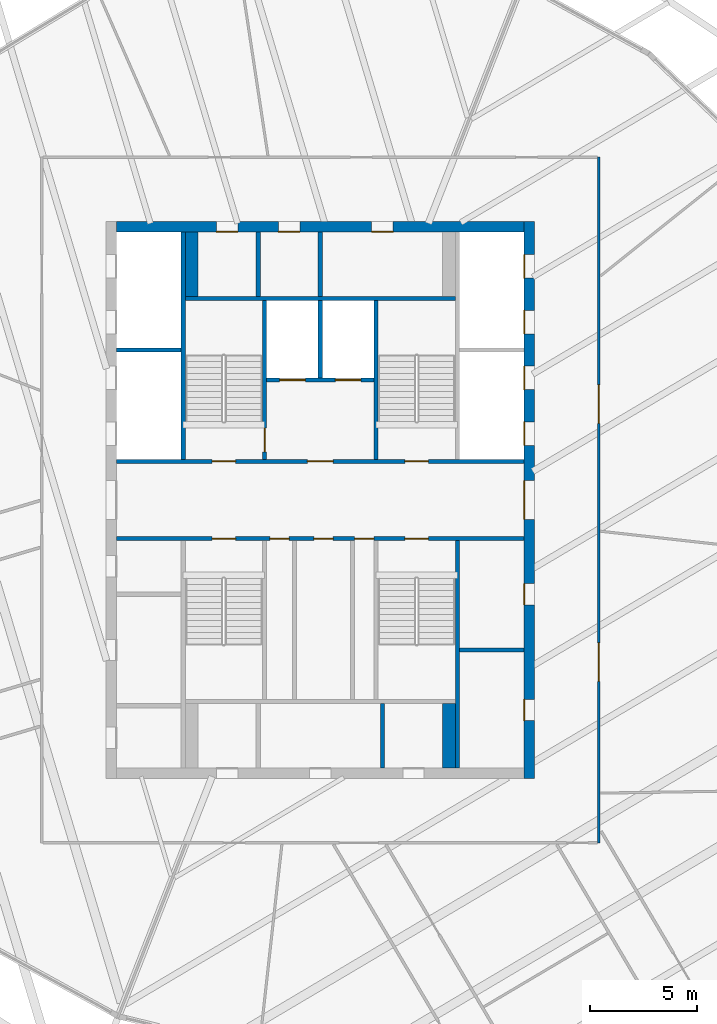
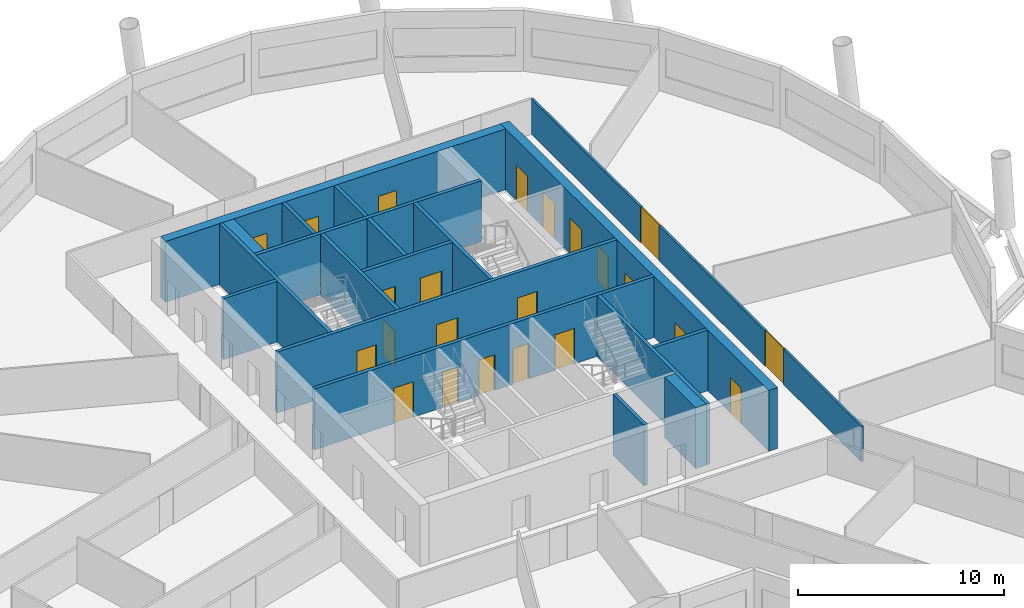
# One storey, part 5 of 11: 23 doors, 19 walls, 23 openings.
"""IFC4 building model written with IfcOpenShell, lengths in metres."""

from ifc_helpers import new_model, si_unit, direction, frame, frame_2d, origin, place, context, subcontext, project, spatial, rectangle, extrude, material, layer, layer_set, type_object, element, fill, save


model = new_model("IFC4")

# Units and contexts
model_context = context("Model", 3, precision=1e-05, world=origin(), true_north=direction((0.0, 1.0)))
body_context = subcontext(model_context, "Body", "Model", "MODEL_VIEW")
ifc_project = project(units=[si_unit("LENGTHUNIT", "METRE"), si_unit("AREAUNIT", "SQUARE_METRE"), si_unit("VOLUMEUNIT", "CUBIC_METRE"), si_unit("PLANEANGLEUNIT", "RADIAN"), si_unit("MASSUNIT", "GRAM", prefix="KILO")], contexts=[model_context])

# Site, building, storey
site_placement = place(None, origin())
site = spatial("IfcSite", under=ifc_project, at=site_placement, CompositionType="ELEMENT")
building_placement = place(site_placement, origin())
building = spatial("IfcBuilding", under=site, at=building_placement, Name="Tarsis Ring Headquarters", CompositionType="ELEMENT")
storey_placement = place(building_placement, frame((0.0, 0.0, 350.89990234375)))
storey = spatial("IfcBuildingStorey", under=building, at=storey_placement, Name="L83", CompositionType="ELEMENT", Elevation=350.89990234375)

# Walls
ifc_material_1 = material(Name="Blockwork", Category="masonry")
ifc_layer_1 = layer(ifc_material_1, 0.199951171875)
ifc_layer_set_1 = layer_set([ifc_layer_1], Name="Core blockwork wall 200")
wall_type_1 = type_object("IfcWallType", Name="Core blockwork wall 200", PredefinedType="PARTITIONING", material=ifc_layer_set_1)
for number, where, z_axis, x_axis, name in (
    (1, (6.5, -7.0, 0.0), (0.0, 0.0, 1.0), (1.0, 0.0, 0.0), "Core partition ED2"),
    (2, (-2.89990234375, 9.5, 0.0), (0.0, 0.0, 1.0), (0.0, 1.0, 0.0), "Core partition ND1"),
    (3, (0.0, 9.5, 0.0), (0.0, 0.0, 1.0), (0.0, 1.0, 0.0), "Core partition ND2"),
    (4, (2.89990234375, -12.5, 0.0), (0.0, 0.0, 1.0), (0.0, 1.0, 0.0), "Core partition SD3"),
):
    element("IfcWall", number, at=place(storey_placement, frame(where, z_axis=z_axis, x_axis=x_axis)), inside=storey, type_object=wall_type_1, Name=name, PredefinedType="PARTITIONING", context=body_context, shape_type="SweptSolid", body=[
        extrude(rectangle(XDim=3.0, YDim=0.199951171875, at=frame_2d((1.5, 0.0))), origin(), (0.0, 0.0, 1.0), 3.60009765625),
    ])

# Wall, openings, doors
ifc_material_2 = material(Name="Concrete C50/60", Category="concrete")
ifc_layer_2 = layer(ifc_material_2, 0.5)
ifc_layer_set_2 = layer_set([ifc_layer_2], Name="Core wall 500 C50/60")
wall_type_2 = type_object("IfcWallType", Name="Core wall 500 C50/60", PredefinedType="SHEAR", material=ifc_layer_set_2)
wall_1_placement = place(storey_placement, frame((9.75, -13.0, 0.0), z_axis=(0.0, 0.0, 1.0), x_axis=(0.0, 1.0, 0.0)))
wall_1 = element("IfcWall", 5, at=wall_1_placement, inside=storey, type_object=wall_type_2, Name="Core wall OE", PredefinedType="SHEAR", context=body_context, shape_type="SweptSolid", body=[
    extrude(rectangle(XDim=26.0, YDim=0.5, at=frame_2d((13.0, 0.0))), origin(), (0.0, 0.0, 1.0), 3.60009765625),
])
opening_1_placement = place(wall_1_placement, frame((2.699951171875, 0.0, 0.0)))
opening_1 = element("IfcOpeningElement", 6, at=opening_1_placement, cuts=wall_1, Name="Opening L83-C09", PredefinedType="OPENING", context=body_context, shape_type="SweptSolid", body=[
    extrude(rectangle(XDim=1.0, YDim=2.10009765625, at=frame_2d((0.5, 1.050048828125))), frame((0.0, 0.260009765625, 0.0), z_axis=(0.0, -1.0, 0.0), x_axis=(1.0, 0.0, 0.0)), (0.0, 0.0, 1.0), 0.52001953125),
])
opening_2_placement = place(wall_1_placement, frame((8.10009765625, 0.0, 0.0)))
opening_2 = element("IfcOpeningElement", 7, at=opening_2_placement, cuts=wall_1, Name="Opening L83-C10", PredefinedType="OPENING", context=body_context, shape_type="SweptSolid", body=[
    extrude(rectangle(XDim=1.0, YDim=2.10009765625, at=frame_2d((0.5, 1.050048828125))), frame((0.0, 0.260009765625, 0.0), z_axis=(0.0, -1.0, 0.0), x_axis=(1.0, 0.0, 0.0)), (0.0, 0.0, 1.0), 0.52001953125),
])
opening_3_placement = place(wall_1_placement, frame((12.10009765625, 0.0, 0.0)))
opening_3 = element("IfcOpeningElement", 8, at=opening_3_placement, cuts=wall_1, Name="Opening L83-C11", PredefinedType="OPENING", context=body_context, shape_type="SweptSolid", body=[
    extrude(rectangle(XDim=1.800048828125, YDim=2.10009765625, at=frame_2d((0.89990234375, 1.050048828125))), frame((0.0, 0.260009765625, 0.0), z_axis=(0.0, -1.0, 0.0), x_axis=(1.0, 0.0, 0.0)), (0.0, 0.0, 1.0), 0.52001953125),
])
opening_4_placement = place(wall_1_placement, frame((15.550048828125, 0.0, 0.0)))
opening_4 = element("IfcOpeningElement", 9, at=opening_4_placement, cuts=wall_1, Name="Opening LD-HR5", PredefinedType="OPENING", context=body_context, shape_type="SweptSolid", body=[
    extrude(rectangle(XDim=1.10009765625, YDim=2.10009765625, at=frame_2d((0.550048828125, 1.050048828125))), frame((0.0, 0.260009765625, 0.0), z_axis=(0.0, -1.0, 0.0), x_axis=(1.0, 0.0, 0.0)), (0.0, 0.0, 1.0), 0.52001953125),
])
opening_5_placement = place(wall_1_placement, frame((18.14990234375, 0.0, 0.0)))
opening_5 = element("IfcOpeningElement", 10, at=opening_5_placement, cuts=wall_1, Name="Opening LD-HR6", PredefinedType="OPENING", context=body_context, shape_type="SweptSolid", body=[
    extrude(rectangle(XDim=1.10009765625, YDim=2.10009765625, at=frame_2d((0.550048828125, 1.050048828125))), frame((0.0, 0.260009765625, 0.0), z_axis=(0.0, -1.0, 0.0), x_axis=(1.0, 0.0, 0.0)), (0.0, 0.0, 1.0), 0.52001953125),
])
opening_6_placement = place(wall_1_placement, frame((20.75, 0.0, 0.0)))
opening_6 = element("IfcOpeningElement", 11, at=opening_6_placement, cuts=wall_1, Name="Opening LD-HR7", PredefinedType="OPENING", context=body_context, shape_type="SweptSolid", body=[
    extrude(rectangle(XDim=1.10009765625, YDim=2.10009765625, at=frame_2d((0.550048828125, 1.050048828125))), frame((0.0, 0.260009765625, 0.0), z_axis=(0.0, -1.0, 0.0), x_axis=(1.0, 0.0, 0.0)), (0.0, 0.0, 1.0), 0.52001953125),
])
opening_7_placement = place(wall_1_placement, frame((23.35009765625, 0.0, 0.0)))
opening_7 = element("IfcOpeningElement", 12, at=opening_7_placement, cuts=wall_1, Name="Opening LD-HR8", PredefinedType="OPENING", context=body_context, shape_type="SweptSolid", body=[
    extrude(rectangle(XDim=1.10009765625, YDim=2.10009765625, at=frame_2d((0.550048828125, 1.050048828125))), frame((0.0, 0.260009765625, 0.0), z_axis=(0.0, -1.0, 0.0), x_axis=(1.0, 0.0, 0.0)), (0.0, 0.0, 1.0), 0.52001953125),
])
ifc_material_3 = material(Name="Steel S355", Category="steel")
door_type_1 = type_object("IfcDoorType", Name="Core entry door 1800x2100", OperationType="DOUBLE_DOOR_SINGLE_SWING", PredefinedType="DOOR", material=ifc_material_3)
door_1_placement = place(opening_3_placement, origin())
door_1 = element("IfcDoor", 13, at=door_1_placement, inside=storey, type_object=door_type_1, Name="Core entry door L83", OperationType="DOUBLE_DOOR_SINGLE_SWING", OverallHeight=2.10009765625, OverallWidth=1.800048828125, PredefinedType="DOOR", context=body_context, shape_type="SweptSolid", body=[
    extrude(rectangle(XDim=1.800048828125, YDim=2.10009765625, at=frame_2d((0.89990234375, 1.050048828125))), frame((0.0, 0.25, 0.0), z_axis=(0.0, -1.0, 0.0), x_axis=(1.0, 0.0, 0.0)), (0.0, 0.0, 1.0), 0.050048828125),
])
fill(opening_3, door_1)
door_type_2 = type_object("IfcDoorType", Name="Core room door 1000x2100", OperationType="SINGLE_SWING_LEFT", PredefinedType="DOOR", material=ifc_material_3)
door_2_placement = place(opening_1_placement, origin())
door_2 = element("IfcDoor", 14, at=door_2_placement, inside=storey, type_object=door_type_2, Name="Core room door L83", OperationType="SINGLE_SWING_LEFT", OverallHeight=2.10009765625, OverallWidth=1.0, PredefinedType="DOOR", context=body_context, shape_type="SweptSolid", body=[
    extrude(rectangle(XDim=1.0, YDim=2.10009765625, at=frame_2d((0.5, 1.050048828125))), frame((0.0, 0.25, 0.0), z_axis=(0.0, -1.0, 0.0), x_axis=(1.0, 0.0, 0.0)), (0.0, 0.0, 1.0), 0.050048828125),
])
fill(opening_1, door_2)
door_3_placement = place(opening_2_placement, origin())
door_3 = element("IfcDoor", 15, at=door_3_placement, inside=storey, type_object=door_type_2, Name="Core room door L83", OperationType="SINGLE_SWING_LEFT", OverallHeight=2.10009765625, OverallWidth=1.0, PredefinedType="DOOR", context=body_context, shape_type="SweptSolid", body=[
    extrude(rectangle(XDim=1.0, YDim=2.10009765625, at=frame_2d((0.5, 1.050048828125))), frame((0.0, 0.25, 0.0), z_axis=(0.0, -1.0, 0.0), x_axis=(1.0, 0.0, 0.0)), (0.0, 0.0, 1.0), 0.050048828125),
])
fill(opening_2, door_3)
door_type_3 = type_object("IfcDoorType", Name="Landing door 1100x2100", OperationType="SLIDING_TO_LEFT", PredefinedType="DOOR", material=ifc_material_3)
door_4_placement = place(opening_4_placement, origin())
door_4 = element("IfcDoor", 16, at=door_4_placement, inside=storey, type_object=door_type_3, Name="Landing door HR5 L83", OperationType="SLIDING_TO_LEFT", OverallHeight=2.10009765625, OverallWidth=1.10009765625, PredefinedType="DOOR", context=body_context, shape_type="SweptSolid", body=[
    extrude(rectangle(XDim=1.10009765625, YDim=2.10009765625, at=frame_2d((0.550048828125, 1.050048828125))), frame((0.0, 0.25, 0.0), z_axis=(0.0, -1.0, 0.0), x_axis=(1.0, 0.0, 0.0)), (0.0, 0.0, 1.0), 0.050048828125),
])
fill(opening_4, door_4)
door_5_placement = place(opening_5_placement, origin())
door_5 = element("IfcDoor", 17, at=door_5_placement, inside=storey, type_object=door_type_3, Name="Landing door HR6 L83", OperationType="SLIDING_TO_LEFT", OverallHeight=2.10009765625, OverallWidth=1.10009765625, PredefinedType="DOOR", context=body_context, shape_type="SweptSolid", body=[
    extrude(rectangle(XDim=1.10009765625, YDim=2.10009765625, at=frame_2d((0.550048828125, 1.050048828125))), frame((0.0, 0.25, 0.0), z_axis=(0.0, -1.0, 0.0), x_axis=(1.0, 0.0, 0.0)), (0.0, 0.0, 1.0), 0.050048828125),
])
fill(opening_5, door_5)
door_6_placement = place(opening_6_placement, origin())
door_6 = element("IfcDoor", 18, at=door_6_placement, inside=storey, type_object=door_type_3, Name="Landing door HR7 L83", OperationType="SLIDING_TO_LEFT", OverallHeight=2.10009765625, OverallWidth=1.10009765625, PredefinedType="DOOR", context=body_context, shape_type="SweptSolid", body=[
    extrude(rectangle(XDim=1.10009765625, YDim=2.10009765625, at=frame_2d((0.550048828125, 1.050048828125))), frame((0.0, 0.25, 0.0), z_axis=(0.0, -1.0, 0.0), x_axis=(1.0, 0.0, 0.0)), (0.0, 0.0, 1.0), 0.050048828125),
])
fill(opening_6, door_6)
door_7_placement = place(opening_7_placement, origin())
door_7 = element("IfcDoor", 19, at=door_7_placement, inside=storey, type_object=door_type_3, Name="Landing door HR8 L83", OperationType="SLIDING_TO_LEFT", OverallHeight=2.10009765625, OverallWidth=1.10009765625, PredefinedType="DOOR", context=body_context, shape_type="SweptSolid", body=[
    extrude(rectangle(XDim=1.10009765625, YDim=2.10009765625, at=frame_2d((0.550048828125, 1.050048828125))), frame((0.0, 0.25, 0.0), z_axis=(0.0, -1.0, 0.0), x_axis=(1.0, 0.0, 0.0)), (0.0, 0.0, 1.0), 0.050048828125),
])
fill(opening_7, door_7)

wall_2_placement = place(storey_placement, frame((-9.5, 12.75, 0.0), z_axis=(0.0, 0.0, 1.0), x_axis=(1.0, 0.0, 0.0)))
wall_2 = element("IfcWall", 20, at=wall_2_placement, inside=storey, type_object=wall_type_2, Name="Core wall ON", PredefinedType="SHEAR", context=body_context, shape_type="SweptSolid", body=[
    extrude(rectangle(XDim=19.0, YDim=0.5, at=frame_2d((9.5, 0.0))), origin(), (0.0, 0.0, 1.0), 3.60009765625),
])
opening_8_placement = place(wall_2_placement, frame((4.64990234375, 0.0, 0.0)))
opening_8 = element("IfcOpeningElement", 21, at=opening_8_placement, cuts=wall_2, Name="Opening L83-C16", PredefinedType="OPENING", context=body_context, shape_type="SweptSolid", body=[
    extrude(rectangle(XDim=1.0, YDim=2.10009765625, at=frame_2d((0.5, 1.050048828125))), frame((0.0, 0.260009765625, 0.0), z_axis=(0.0, -1.0, 0.0), x_axis=(1.0, 0.0, 0.0)), (0.0, 0.0, 1.0), 0.52001953125),
])
opening_9_placement = place(wall_2_placement, frame((7.550048828125, 0.0, 0.0)))
opening_9 = element("IfcOpeningElement", 22, at=opening_9_placement, cuts=wall_2, Name="Opening L83-C17", PredefinedType="OPENING", context=body_context, shape_type="SweptSolid", body=[
    extrude(rectangle(XDim=1.0, YDim=2.10009765625, at=frame_2d((0.5, 1.050048828125))), frame((0.0, 0.260009765625, 0.0), z_axis=(0.0, -1.0, 0.0), x_axis=(1.0, 0.0, 0.0)), (0.0, 0.0, 1.0), 0.52001953125),
])
opening_10_placement = place(wall_2_placement, frame((11.89990234375, 0.0, 0.0)))
opening_10 = element("IfcOpeningElement", 23, at=opening_10_placement, cuts=wall_2, Name="Opening L83-C18", PredefinedType="OPENING", context=body_context, shape_type="SweptSolid", body=[
    extrude(rectangle(XDim=1.0, YDim=2.10009765625, at=frame_2d((0.5, 1.050048828125))), frame((0.0, 0.260009765625, 0.0), z_axis=(0.0, -1.0, 0.0), x_axis=(1.0, 0.0, 0.0)), (0.0, 0.0, 1.0), 0.52001953125),
])
door_8_placement = place(opening_8_placement, origin())
door_8 = element("IfcDoor", 24, at=door_8_placement, inside=storey, type_object=door_type_2, Name="Core room door L83", OperationType="SINGLE_SWING_LEFT", OverallHeight=2.10009765625, OverallWidth=1.0, PredefinedType="DOOR", context=body_context, shape_type="SweptSolid", body=[
    extrude(rectangle(XDim=1.0, YDim=2.10009765625, at=frame_2d((0.5, 1.050048828125))), frame((0.0, -0.2001953125, 0.0), z_axis=(0.0, -1.0, 0.0), x_axis=(1.0, 0.0, 0.0)), (0.0, 0.0, 1.0), 0.050048828125),
])
fill(opening_8, door_8)
door_9_placement = place(opening_9_placement, origin())
door_9 = element("IfcDoor", 25, at=door_9_placement, inside=storey, type_object=door_type_2, Name="Core room door L83", OperationType="SINGLE_SWING_LEFT", OverallHeight=2.10009765625, OverallWidth=1.0, PredefinedType="DOOR", context=body_context, shape_type="SweptSolid", body=[
    extrude(rectangle(XDim=1.0, YDim=2.10009765625, at=frame_2d((0.5, 1.050048828125))), frame((0.0, -0.2001953125, 0.0), z_axis=(0.0, -1.0, 0.0), x_axis=(1.0, 0.0, 0.0)), (0.0, 0.0, 1.0), 0.050048828125),
])
fill(opening_9, door_9)
door_10_placement = place(opening_10_placement, origin())
door_10 = element("IfcDoor", 26, at=door_10_placement, inside=storey, type_object=door_type_2, Name="Core room door L83", OperationType="SINGLE_SWING_LEFT", OverallHeight=2.10009765625, OverallWidth=1.0, PredefinedType="DOOR", context=body_context, shape_type="SweptSolid", body=[
    extrude(rectangle(XDim=1.0, YDim=2.10009765625, at=frame_2d((0.5, 1.050048828125))), frame((0.0, -0.2001953125, 0.0), z_axis=(0.0, -1.0, 0.0), x_axis=(1.0, 0.0, 0.0)), (0.0, 0.0, 1.0), 0.050048828125),
])
fill(opening_10, door_10)

ifc_material_4 = material(Name="Gypsum board on steel studs", Category="steel")
ifc_layer_3 = layer(ifc_material_4, 0.125)
ifc_layer_set_3 = layer_set([ifc_layer_3], Name="FL partition 125 EI 60 H2080")
wall_type_3 = type_object("IfcWallType", Name="FL partition 125 EI 60 H2080", PredefinedType="PARTITIONING", material=ifc_layer_set_3)
wall_3_placement = place(storey_placement, frame((13.0, -16.0, 0.0), z_axis=(0.0, 0.0, 1.0), x_axis=(0.0, 1.0, 0.0)))
wall_3 = element("IfcWall", 27, at=wall_3_placement, inside=storey, type_object=wall_type_3, Name="Partition PW1H208", PredefinedType="PARTITIONING", context=body_context, shape_type="SweptSolid", body=[
    extrude(rectangle(XDim=32.0, YDim=0.125, at=frame_2d((16.0, 0.0))), origin(), (0.0, 0.0, 1.0), 2.080078125),
])
opening_11_placement = place(wall_3_placement, frame((19.57177734375, 0.0, 0.0)))
opening_11 = element("IfcOpeningElement", 28, at=opening_11_placement, cuts=wall_3, Name="Opening D83.08", PredefinedType="OPENING", context=body_context, shape_type="SweptSolid", body=[
    extrude(rectangle(XDim=1.800048828125, YDim=2.10009765625, at=frame_2d((0.89990234375, 1.050048828125))), frame((0.0, 0.072509765625, 0.0), z_axis=(0.0, -1.0, 0.0), x_axis=(1.0, 0.0, 0.0)), (0.0, 0.0, 1.0), 0.14501953125),
])
opening_12_placement = place(wall_3_placement, frame((7.5341796875, 0.0, 0.0)))
opening_12 = element("IfcOpeningElement", 29, at=opening_12_placement, cuts=wall_3, Name="Opening D83.09", PredefinedType="OPENING", context=body_context, shape_type="SweptSolid", body=[
    extrude(rectangle(XDim=1.800048828125, YDim=2.10009765625, at=frame_2d((0.89990234375, 1.050048828125))), frame((0.0, 0.072509765625, 0.0), z_axis=(0.0, -1.0, 0.0), x_axis=(1.0, 0.0, 0.0)), (0.0, 0.0, 1.0), 0.14501953125),
])
ifc_material_5 = material(Name="Fire-rated timber door leaf in steel frame", Category="steel")
door_type_4 = type_object("IfcDoorType", Name="FL door FD60-1800", OperationType="DOUBLE_DOOR_SINGLE_SWING", PredefinedType="DOOR", material=ifc_material_5)
door_11_placement = place(opening_11_placement, origin())
door_11 = element("IfcDoor", 30, at=door_11_placement, inside=storey, type_object=door_type_4, Name="Door D83.08", OperationType="DOUBLE_DOOR_SINGLE_SWING", OverallHeight=2.10009765625, OverallWidth=1.800048828125, PredefinedType="DOOR", context=body_context, shape_type="SweptSolid", body=[
    extrude(rectangle(XDim=1.800048828125, YDim=2.10009765625, at=frame_2d((0.89990234375, 1.050048828125))), frame((0.0, 0.02490234375, 0.0), z_axis=(0.0, -1.0, 0.0), x_axis=(1.0, 0.0, 0.0)), (0.0, 0.0, 1.0), 0.050048828125),
])
fill(opening_11, door_11)
door_12_placement = place(opening_12_placement, origin())
door_12 = element("IfcDoor", 31, at=door_12_placement, inside=storey, type_object=door_type_4, Name="Door D83.09", OperationType="DOUBLE_DOOR_SINGLE_SWING", OverallHeight=2.10009765625, OverallWidth=1.800048828125, PredefinedType="DOOR", context=body_context, shape_type="SweptSolid", body=[
    extrude(rectangle(XDim=1.800048828125, YDim=2.10009765625, at=frame_2d((0.89990234375, 1.050048828125))), frame((0.0, 0.02490234375, 0.0), z_axis=(0.0, -1.0, 0.0), x_axis=(1.0, 0.0, 0.0)), (0.0, 0.0, 1.0), 0.050048828125),
])
fill(opening_12, door_12)

# Walls
ifc_material_6 = material(Name="Concrete C32/40", Category="concrete")
ifc_layer_4 = layer(ifc_material_6, 0.60009765625)
ifc_layer_set_4 = layer_set([ifc_layer_4], Name="Shaft end wall 600 C32/40")
wall_type_4 = type_object("IfcWallType", Name="Shaft end wall 600 C32/40", PredefinedType="SOLIDWALL", material=ifc_layer_set_4)
for number, where, z_axis, x_axis, name in (
    (32, (-6.0, 9.5, 0.0), (0.0, 0.0, 1.0), (0.0, 1.0, 0.0), "Core shaft wall NNE1"),
    (33, (6.0, -12.5, 0.0), (0.0, 0.0, 1.0), (0.0, 1.0, 0.0), "Core shaft wall SNE2"),
):
    element("IfcWall", number, at=place(storey_placement, frame(where, z_axis=z_axis, x_axis=x_axis)), inside=storey, type_object=wall_type_4, Name=name, PredefinedType="SOLIDWALL", context=body_context, shape_type="SweptSolid", body=[
        extrude(rectangle(XDim=3.0, YDim=0.60009765625, at=frame_2d((1.5, 0.0))), origin(), (0.0, 0.0, 1.0), 3.60009765625),
    ])

# Wall, openings, doors
ifc_layer_5 = layer(ifc_material_6, 0.199951171875)
ifc_layer_set_5 = layer_set([ifc_layer_5], Name="Shaft wall 200 C32/40")
wall_type_5 = type_object("IfcWallType", Name="Shaft wall 200 C32/40", PredefinedType="SOLIDWALL", material=ifc_layer_set_5)
wall_4_placement = place(storey_placement, frame((-9.5, 1.800048828125, 0.0), z_axis=(0.0, 0.0, 1.0), x_axis=(1.0, 0.0, 0.0)))
wall_4 = element("IfcWall", 34, at=wall_4_placement, inside=storey, type_object=wall_type_5, Name="Core shaft wall CN", PredefinedType="SOLIDWALL", context=body_context, shape_type="SweptSolid", body=[
    extrude(rectangle(XDim=19.0, YDim=0.199951171875, at=frame_2d((9.5, 0.0))), origin(), (0.0, 0.0, 1.0), 3.60009765625),
])
opening_13_placement = place(wall_4_placement, frame((4.449951171875, 0.0, 0.0)))
opening_13 = element("IfcOpeningElement", 35, at=opening_13_placement, cuts=wall_4, Name="Opening L83-C22", PredefinedType="OPENING", context=body_context, shape_type="SweptSolid", body=[
    extrude(rectangle(XDim=1.10009765625, YDim=2.10009765625, at=frame_2d((0.550048828125, 1.050048828125))), frame((0.0, 0.10986328125, 0.0), z_axis=(0.0, -1.0, 0.0), x_axis=(1.0, 0.0, 0.0)), (0.0, 0.0, 1.0), 0.219970703125),
])
opening_14_placement = place(wall_4_placement, frame((8.89990234375, 0.0, 0.0)))
opening_14 = element("IfcOpeningElement", 36, at=opening_14_placement, cuts=wall_4, Name="Opening L83-C23", PredefinedType="OPENING", context=body_context, shape_type="SweptSolid", body=[
    extrude(rectangle(XDim=1.199951171875, YDim=2.10009765625, at=frame_2d((0.60009765625, 1.050048828125))), frame((0.0, 0.10986328125, 0.0), z_axis=(0.0, -1.0, 0.0), x_axis=(1.0, 0.0, 0.0)), (0.0, 0.0, 1.0), 0.219970703125),
])
opening_15_placement = place(wall_4_placement, frame((13.449951171875, 0.0, 0.0)))
opening_15 = element("IfcOpeningElement", 37, at=opening_15_placement, cuts=wall_4, Name="Opening L83-C24", PredefinedType="OPENING", context=body_context, shape_type="SweptSolid", body=[
    extrude(rectangle(XDim=1.10009765625, YDim=2.10009765625, at=frame_2d((0.550048828125, 1.050048828125))), frame((0.0, 0.10986328125, 0.0), z_axis=(0.0, -1.0, 0.0), x_axis=(1.0, 0.0, 0.0)), (0.0, 0.0, 1.0), 0.219970703125),
])
door_type_5 = type_object("IfcDoorType", Name="Firefighting lobby door 1200x2100", OperationType="DOUBLE_DOOR_SINGLE_SWING", PredefinedType="DOOR", material=ifc_material_3)
door_13_placement = place(opening_14_placement, origin())
door_13 = element("IfcDoor", 38, at=door_13_placement, inside=storey, type_object=door_type_5, Name="Firefighting lobby door L83", OperationType="DOUBLE_DOOR_SINGLE_SWING", OverallHeight=2.10009765625, OverallWidth=1.199951171875, PredefinedType="DOOR", context=body_context, shape_type="SweptSolid", body=[
    extrude(rectangle(XDim=1.199951171875, YDim=2.10009765625, at=frame_2d((0.60009765625, 1.050048828125))), frame((0.0, 0.02490234375, 0.0), z_axis=(0.0, -1.0, 0.0), x_axis=(1.0, 0.0, 0.0)), (0.0, 0.0, 1.0), 0.050048828125),
])
fill(opening_14, door_13)
door_type_6 = type_object("IfcDoorType", Name="Stair door 1100x2100", OperationType="SINGLE_SWING_LEFT", PredefinedType="DOOR", material=ifc_material_3)
door_14_placement = place(opening_13_placement, origin())
door_14 = element("IfcDoor", 39, at=door_14_placement, inside=storey, type_object=door_type_6, Name="Stair door L83", OperationType="SINGLE_SWING_LEFT", OverallHeight=2.10009765625, OverallWidth=1.10009765625, PredefinedType="DOOR", context=body_context, shape_type="SweptSolid", body=[
    extrude(rectangle(XDim=1.10009765625, YDim=2.10009765625, at=frame_2d((0.550048828125, 1.050048828125))), frame((0.0, 0.02490234375, 0.0), z_axis=(0.0, -1.0, 0.0), x_axis=(1.0, 0.0, 0.0)), (0.0, 0.0, 1.0), 0.050048828125),
])
fill(opening_13, door_14)
door_15_placement = place(opening_15_placement, origin())
door_15 = element("IfcDoor", 40, at=door_15_placement, inside=storey, type_object=door_type_6, Name="Stair door L83", OperationType="SINGLE_SWING_LEFT", OverallHeight=2.10009765625, OverallWidth=1.10009765625, PredefinedType="DOOR", context=body_context, shape_type="SweptSolid", body=[
    extrude(rectangle(XDim=1.10009765625, YDim=2.10009765625, at=frame_2d((0.550048828125, 1.050048828125))), frame((0.0, 0.02490234375, 0.0), z_axis=(0.0, -1.0, 0.0), x_axis=(1.0, 0.0, 0.0)), (0.0, 0.0, 1.0), 0.050048828125),
])
fill(opening_15, door_15)

wall_5_placement = place(storey_placement, frame((-9.5, -1.800048828125, 0.0), z_axis=(0.0, 0.0, 1.0), x_axis=(1.0, 0.0, 0.0)))
wall_5 = element("IfcWall", 41, at=wall_5_placement, inside=storey, type_object=wall_type_5, Name="Core shaft wall CS", PredefinedType="SOLIDWALL", context=body_context, shape_type="SweptSolid", body=[
    extrude(rectangle(XDim=19.0, YDim=0.199951171875, at=frame_2d((9.5, 0.0))), origin(), (0.0, 0.0, 1.0), 3.60009765625),
])
opening_16_placement = place(wall_5_placement, frame((4.449951171875, 0.0, 0.0)))
opening_16 = element("IfcOpeningElement", 42, at=opening_16_placement, cuts=wall_5, Name="Opening L83-C25", PredefinedType="OPENING", context=body_context, shape_type="SweptSolid", body=[
    extrude(rectangle(XDim=1.10009765625, YDim=2.10009765625, at=frame_2d((0.550048828125, 1.050048828125))), frame((0.0, 0.10986328125, 0.0), z_axis=(0.0, -1.0, 0.0), x_axis=(1.0, 0.0, 0.0)), (0.0, 0.0, 1.0), 0.219970703125),
])
opening_17_placement = place(wall_5_placement, frame((7.14990234375, 0.0, 0.0)))
opening_17 = element("IfcOpeningElement", 43, at=opening_17_placement, cuts=wall_5, Name="Opening L83-C26", PredefinedType="OPENING", context=body_context, shape_type="SweptSolid", body=[
    extrude(rectangle(XDim=0.89990234375, YDim=2.10009765625, at=frame_2d((0.449951171875, 1.050048828125))), frame((0.0, 0.10986328125, 0.0), z_axis=(0.0, -1.0, 0.0), x_axis=(1.0, 0.0, 0.0)), (0.0, 0.0, 1.0), 0.219970703125),
])
opening_18_placement = place(wall_5_placement, frame((9.199951171875, 0.0, 0.0)))
opening_18 = element("IfcOpeningElement", 44, at=opening_18_placement, cuts=wall_5, Name="Opening L83-C27", PredefinedType="OPENING", context=body_context, shape_type="SweptSolid", body=[
    extrude(rectangle(XDim=0.89990234375, YDim=2.10009765625, at=frame_2d((0.449951171875, 1.050048828125))), frame((0.0, 0.10986328125, 0.0), z_axis=(0.0, -1.0, 0.0), x_axis=(1.0, 0.0, 0.0)), (0.0, 0.0, 1.0), 0.219970703125),
])
opening_19_placement = place(wall_5_placement, frame((11.10009765625, 0.0, 0.0)))
opening_19 = element("IfcOpeningElement", 45, at=opening_19_placement, cuts=wall_5, Name="Opening L83-C28", PredefinedType="OPENING", context=body_context, shape_type="SweptSolid", body=[
    extrude(rectangle(XDim=0.89990234375, YDim=2.10009765625, at=frame_2d((0.449951171875, 1.050048828125))), frame((0.0, 0.10986328125, 0.0), z_axis=(0.0, -1.0, 0.0), x_axis=(1.0, 0.0, 0.0)), (0.0, 0.0, 1.0), 0.219970703125),
])
opening_20_placement = place(wall_5_placement, frame((13.449951171875, 0.0, 0.0)))
opening_20 = element("IfcOpeningElement", 46, at=opening_20_placement, cuts=wall_5, Name="Opening L83-C29", PredefinedType="OPENING", context=body_context, shape_type="SweptSolid", body=[
    extrude(rectangle(XDim=1.10009765625, YDim=2.10009765625, at=frame_2d((0.550048828125, 1.050048828125))), frame((0.0, 0.10986328125, 0.0), z_axis=(0.0, -1.0, 0.0), x_axis=(1.0, 0.0, 0.0)), (0.0, 0.0, 1.0), 0.219970703125),
])
door_16_placement = place(opening_16_placement, origin())
door_16 = element("IfcDoor", 47, at=door_16_placement, inside=storey, type_object=door_type_6, Name="Stair door L83", OperationType="SINGLE_SWING_LEFT", OverallHeight=2.10009765625, OverallWidth=1.10009765625, PredefinedType="DOOR", context=body_context, shape_type="SweptSolid", body=[
    extrude(rectangle(XDim=1.10009765625, YDim=2.10009765625, at=frame_2d((0.550048828125, 1.050048828125))), frame((0.0, 0.02490234375, 0.0), z_axis=(0.0, -1.0, 0.0), x_axis=(1.0, 0.0, 0.0)), (0.0, 0.0, 1.0), 0.050048828125),
])
fill(opening_16, door_16)
door_17_placement = place(opening_20_placement, origin())
door_17 = element("IfcDoor", 48, at=door_17_placement, inside=storey, type_object=door_type_6, Name="Stair door L83", OperationType="SINGLE_SWING_LEFT", OverallHeight=2.10009765625, OverallWidth=1.10009765625, PredefinedType="DOOR", context=body_context, shape_type="SweptSolid", body=[
    extrude(rectangle(XDim=1.10009765625, YDim=2.10009765625, at=frame_2d((0.550048828125, 1.050048828125))), frame((0.0, 0.02490234375, 0.0), z_axis=(0.0, -1.0, 0.0), x_axis=(1.0, 0.0, 0.0)), (0.0, 0.0, 1.0), 0.050048828125),
])
fill(opening_20, door_17)
door_type_7 = type_object("IfcDoorType", Name="WC door 900x2100", OperationType="SINGLE_SWING_LEFT", PredefinedType="DOOR", material=ifc_material_3)
door_18_placement = place(opening_17_placement, origin())
door_18 = element("IfcDoor", 49, at=door_18_placement, inside=storey, type_object=door_type_7, Name="WC door L83", OperationType="SINGLE_SWING_LEFT", OverallHeight=2.10009765625, OverallWidth=0.89990234375, PredefinedType="DOOR", context=body_context, shape_type="SweptSolid", body=[
    extrude(rectangle(XDim=0.89990234375, YDim=2.10009765625, at=frame_2d((0.449951171875, 1.050048828125))), frame((0.0, 0.02490234375, 0.0), z_axis=(0.0, -1.0, 0.0), x_axis=(1.0, 0.0, 0.0)), (0.0, 0.0, 1.0), 0.050048828125),
])
fill(opening_17, door_18)
door_19_placement = place(opening_18_placement, origin())
door_19 = element("IfcDoor", 50, at=door_19_placement, inside=storey, type_object=door_type_7, Name="WC door L83", OperationType="SINGLE_SWING_LEFT", OverallHeight=2.10009765625, OverallWidth=0.89990234375, PredefinedType="DOOR", context=body_context, shape_type="SweptSolid", body=[
    extrude(rectangle(XDim=0.89990234375, YDim=2.10009765625, at=frame_2d((0.449951171875, 1.050048828125))), frame((0.0, 0.02490234375, 0.0), z_axis=(0.0, -1.0, 0.0), x_axis=(1.0, 0.0, 0.0)), (0.0, 0.0, 1.0), 0.050048828125),
])
fill(opening_18, door_19)
door_20_placement = place(opening_19_placement, origin())
door_20 = element("IfcDoor", 51, at=door_20_placement, inside=storey, type_object=door_type_7, Name="WC door L83", OperationType="SINGLE_SWING_LEFT", OverallHeight=2.10009765625, OverallWidth=0.89990234375, PredefinedType="DOOR", context=body_context, shape_type="SweptSolid", body=[
    extrude(rectangle(XDim=0.89990234375, YDim=2.10009765625, at=frame_2d((0.449951171875, 1.050048828125))), frame((0.0, 0.02490234375, 0.0), z_axis=(0.0, -1.0, 0.0), x_axis=(1.0, 0.0, 0.0)), (0.0, 0.0, 1.0), 0.050048828125),
])
fill(opening_19, door_20)

# Walls
for number, where, z_axis, x_axis, name in (
    (52, (-6.39990234375, 1.89990234375, 0.0), (0.0, 0.0, 1.0), (0.0, 1.0, 0.0), "Core shaft wall WB2"),
    (53, (6.39990234375, -12.5, 0.0), (0.0, 0.0, 1.0), (0.0, 1.0, 0.0), "Core shaft wall EB1"),
):
    element("IfcWall", number, at=place(storey_placement, frame(where, z_axis=z_axis, x_axis=x_axis)), inside=storey, type_object=wall_type_5, Name=name, PredefinedType="SOLIDWALL", context=body_context, shape_type="SweptSolid", body=[
        extrude(rectangle(XDim=10.60009765625, YDim=0.199951171875, at=frame_2d((5.300048828125, 0.0))), origin(), (0.0, 0.0, 1.0), 3.60009765625),
    ])
wall_6_placement = place(storey_placement, frame((-6.300048828125, 9.39990234375, 0.0), z_axis=(0.0, 0.0, 1.0), x_axis=(1.0, 0.0, 0.0)))
element("IfcWall", 54, at=wall_6_placement, inside=storey, type_object=wall_type_5, Name="Core shaft wall NB", PredefinedType="SOLIDWALL", context=body_context, shape_type="SweptSolid", body=[
    extrude(rectangle(XDim=12.60009765625, YDim=0.199951171875, at=frame_2d((6.300048828125, 0.0))), origin(), (0.0, 0.0, 1.0), 3.60009765625),
])

# Wall, opening, door
wall_7_placement = place(storey_placement, frame((-2.60009765625, 1.89990234375, 0.0), z_axis=(0.0, 0.0, 1.0), x_axis=(0.0, 1.0, 0.0)))
wall_7 = element("IfcWall", 55, at=wall_7_placement, inside=storey, type_object=wall_type_5, Name="Core shaft wall SW1", PredefinedType="SOLIDWALL", context=body_context, shape_type="SweptSolid", body=[
    extrude(rectangle(XDim=7.400146484375, YDim=0.199951171875, at=frame_2d((3.7001953125, 0.0))), origin(), (0.0, 0.0, 1.0), 3.60009765625),
])
opening_21_placement = place(wall_7_placement, frame((0.35009765625, 0.0, 0.0)))
opening_21 = element("IfcOpeningElement", 56, at=opening_21_placement, cuts=wall_7, Name="Opening L83-C30", PredefinedType="OPENING", context=body_context, shape_type="SweptSolid", body=[
    extrude(rectangle(XDim=1.10009765625, YDim=2.10009765625, at=frame_2d((0.550048828125, 1.050048828125))), frame((0.0, 0.10986328125, 0.0), z_axis=(0.0, -1.0, 0.0), x_axis=(1.0, 0.0, 0.0)), (0.0, 0.0, 1.0), 0.219970703125),
])
door_21_placement = place(opening_21_placement, origin())
door_21 = element("IfcDoor", 57, at=door_21_placement, inside=storey, type_object=door_type_6, Name="Stair door L83", OperationType="SINGLE_SWING_LEFT", OverallHeight=2.10009765625, OverallWidth=1.10009765625, PredefinedType="DOOR", context=body_context, shape_type="SweptSolid", body=[
    extrude(rectangle(XDim=1.10009765625, YDim=2.10009765625, at=frame_2d((0.550048828125, 1.050048828125))), frame((0.0, 0.02490234375, 0.0), z_axis=(0.0, -1.0, 0.0), x_axis=(1.0, 0.0, 0.0)), (0.0, 0.0, 1.0), 0.050048828125),
])
fill(opening_21, door_21)

# Wall
wall_8_placement = place(storey_placement, frame((2.60009765625, 1.89990234375, 0.0), z_axis=(0.0, 0.0, 1.0), x_axis=(0.0, 1.0, 0.0)))
element("IfcWall", 58, at=wall_8_placement, inside=storey, type_object=wall_type_5, Name="Core shaft wall SW2", PredefinedType="SOLIDWALL", context=body_context, shape_type="SweptSolid", body=[
    extrude(rectangle(XDim=7.400146484375, YDim=0.199951171875, at=frame_2d((3.7001953125, 0.0))), origin(), (0.0, 0.0, 1.0), 3.60009765625),
])

# Wall, openings, doors
wall_9_placement = place(storey_placement, frame((-2.5, 5.60009765625, 0.0), z_axis=(0.0, 0.0, 1.0), x_axis=(1.0, 0.0, 0.0)))
wall_9 = element("IfcWall", 59, at=wall_9_placement, inside=storey, type_object=wall_type_5, Name="Core shaft wall FFN", PredefinedType="SOLIDWALL", context=body_context, shape_type="SweptSolid", body=[
    extrude(rectangle(XDim=5.0, YDim=0.199951171875, at=frame_2d((2.5, 0.0))), origin(), (0.0, 0.0, 1.0), 3.60009765625),
])
opening_22_placement = place(wall_9_placement, frame((0.60009765625, 0.0, 0.0)))
opening_22 = element("IfcOpeningElement", 60, at=opening_22_placement, cuts=wall_9, Name="Opening LDF-1", PredefinedType="OPENING", context=body_context, shape_type="SweptSolid", body=[
    extrude(rectangle(XDim=1.199951171875, YDim=2.10009765625, at=frame_2d((0.60009765625, 1.050048828125))), frame((0.0, 0.10986328125, 0.0), z_axis=(0.0, -1.0, 0.0), x_axis=(1.0, 0.0, 0.0)), (0.0, 0.0, 1.0), 0.219970703125),
])
opening_23_placement = place(wall_9_placement, frame((3.199951171875, 0.0, 0.0)))
opening_23 = element("IfcOpeningElement", 61, at=opening_23_placement, cuts=wall_9, Name="Opening LDF-2", PredefinedType="OPENING", context=body_context, shape_type="SweptSolid", body=[
    extrude(rectangle(XDim=1.199951171875, YDim=2.10009765625, at=frame_2d((0.60009765625, 1.050048828125))), frame((0.0, 0.10986328125, 0.0), z_axis=(0.0, -1.0, 0.0), x_axis=(1.0, 0.0, 0.0)), (0.0, 0.0, 1.0), 0.219970703125),
])
door_type_8 = type_object("IfcDoorType", Name="Firefighting landing door 1200x2100", OperationType="SLIDING_TO_LEFT", PredefinedType="DOOR", material=ifc_material_3)
door_22_placement = place(opening_22_placement, origin())
door_22 = element("IfcDoor", 62, at=door_22_placement, inside=storey, type_object=door_type_8, Name="Landing door FF1 L83", OperationType="SLIDING_TO_LEFT", OverallHeight=2.10009765625, OverallWidth=1.199951171875, PredefinedType="DOOR", context=body_context, shape_type="SweptSolid", body=[
    extrude(rectangle(XDim=1.199951171875, YDim=2.10009765625, at=frame_2d((0.60009765625, 1.050048828125))), frame((0.0, 0.02490234375, 0.0), z_axis=(0.0, -1.0, 0.0), x_axis=(1.0, 0.0, 0.0)), (0.0, 0.0, 1.0), 0.050048828125),
])
fill(opening_22, door_22)
door_23_placement = place(opening_23_placement, origin())
door_23 = element("IfcDoor", 63, at=door_23_placement, inside=storey, type_object=door_type_8, Name="Landing door FF2 L83", OperationType="SLIDING_TO_LEFT", OverallHeight=2.10009765625, OverallWidth=1.199951171875, PredefinedType="DOOR", context=body_context, shape_type="SweptSolid", body=[
    extrude(rectangle(XDim=1.199951171875, YDim=2.10009765625, at=frame_2d((0.60009765625, 1.050048828125))), frame((0.0, 0.02490234375, 0.0), z_axis=(0.0, -1.0, 0.0), x_axis=(1.0, 0.0, 0.0)), (0.0, 0.0, 1.0), 0.050048828125),
])
fill(opening_23, door_23)

# Walls
wall_10_placement = place(storey_placement, frame((0.0, 5.699951171875, 0.0), z_axis=(0.0, 0.0, 1.0), x_axis=(0.0, 1.0, 0.0)))
element("IfcWall", 64, at=wall_10_placement, inside=storey, type_object=wall_type_5, Name="Core shaft wall FFD", PredefinedType="SOLIDWALL", context=body_context, shape_type="SweptSolid", body=[
    extrude(rectangle(XDim=3.60009765625, YDim=0.199951171875, at=frame_2d((1.800048828125, 0.0))), origin(), (0.0, 0.0, 1.0), 3.60009765625),
])
wall_11_placement = place(storey_placement, frame((-9.5, 7.0, 0.0), z_axis=(0.0, 0.0, 1.0), x_axis=(1.0, 0.0, 0.0)))
element("IfcWall", 65, at=wall_11_placement, inside=storey, type_object=wall_type_5, Name="Core shaft wall WD6", PredefinedType="SOLIDWALL", context=body_context, shape_type="SweptSolid", body=[
    extrude(rectangle(XDim=3.0, YDim=0.199951171875, at=frame_2d((1.5, 0.0))), origin(), (0.0, 0.0, 1.0), 3.60009765625),
])

save(model, "model.ifc")
